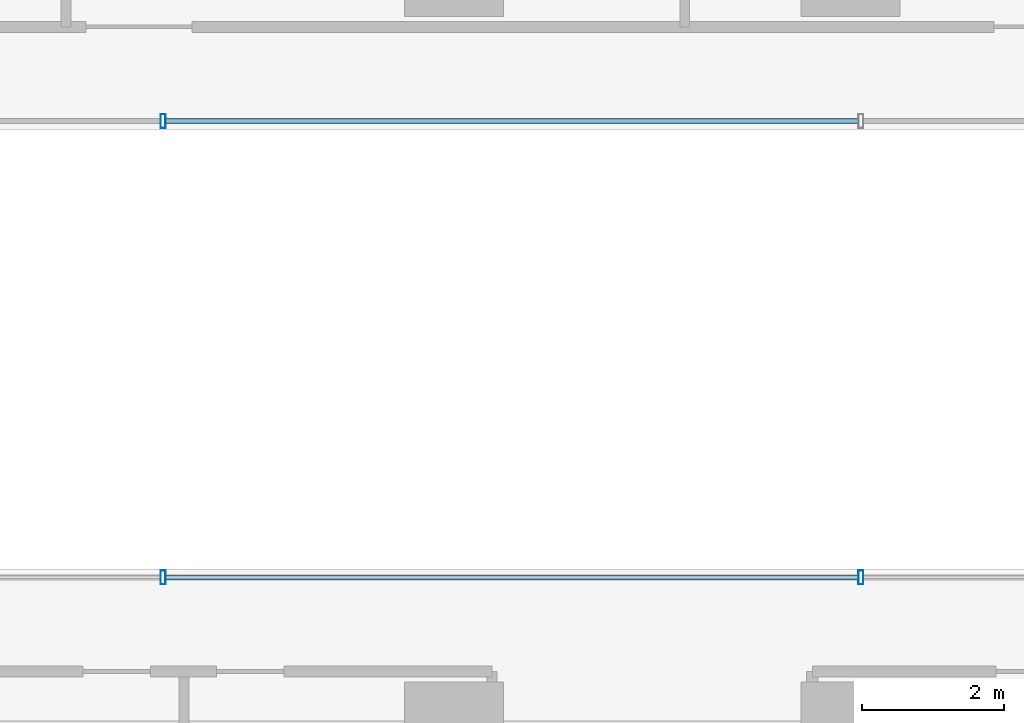
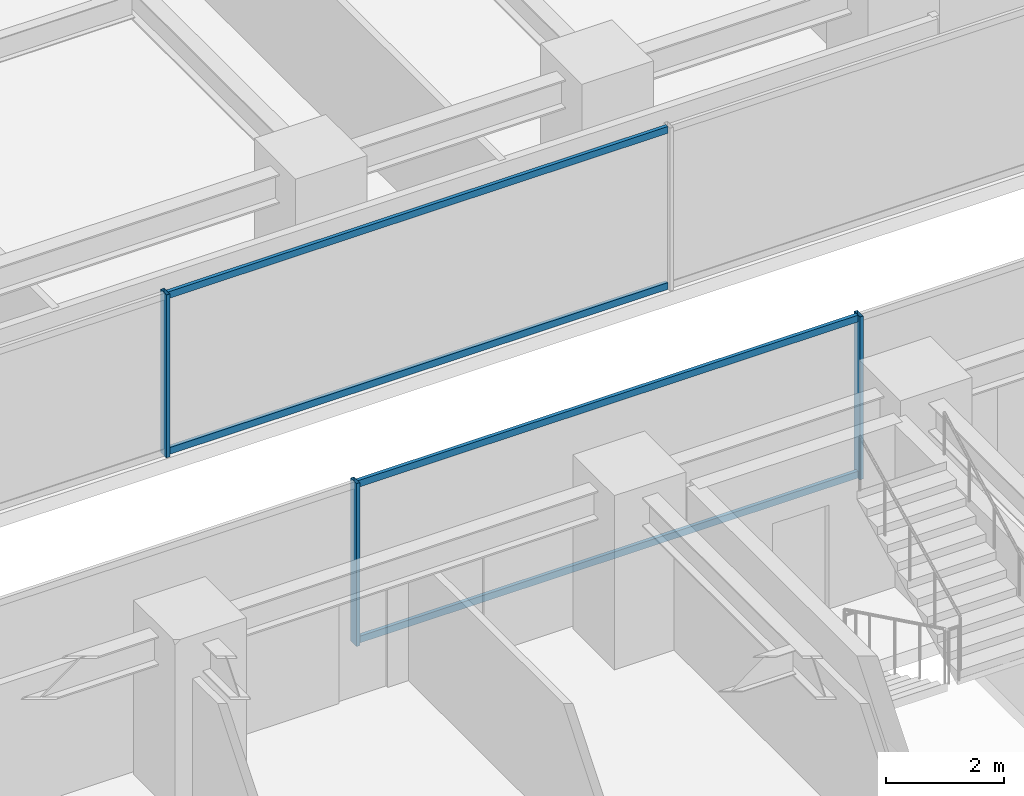
# One storey, part 11 of 38: 7 members, 2 elements without a shape of their own.
"""IFC4 building model written with IfcOpenShell, lengths in metres."""

from ifc_helpers import new_model, si_unit, direction, frame, origin, origin_2d, place, context, subcontext, project, spatial, hollow_rectangle, extrude, source, transform, mapped, material, material_profile, profile_set, type_object, element, aggregate, save


model = new_model("IFC4")

# Units and contexts
model_context = context("Model", 3, precision=1e-05, world=origin(), true_north=direction((0.0, 1.0)))
body_context = subcontext(model_context, "Body", "Model", "MODEL_VIEW")
ifc_project = project(units=[si_unit("LENGTHUNIT", "METRE"), si_unit("AREAUNIT", "SQUARE_METRE"), si_unit("VOLUMEUNIT", "CUBIC_METRE"), si_unit("PLANEANGLEUNIT", "RADIAN"), si_unit("MASSUNIT", "GRAM", prefix="KILO")], contexts=[model_context])

# Site, building, storey
site_placement = place(None, origin())
site = spatial("IfcSite", under=ifc_project, at=site_placement, CompositionType="ELEMENT")
building_placement = place(site_placement, origin())
building = spatial("IfcBuilding", under=site, at=building_placement, Name="Nahalor Promenade Grand Hotel", CompositionType="ELEMENT")
storey_placement = place(building_placement, frame((0.0, 0.0, 50.64990234375)))
storey = spatial("IfcBuildingStorey", under=building, at=storey_placement, Name="L11", CompositionType="ELEMENT", Elevation=50.64990234375)

# Curtain wall, members
ifc_material = material(Name="Anodised Bronze Aluminium EN AW-6063 T6", Category="aluminium")
curtain_wall_type = type_object("IfcCurtainWallType", Name="CW3 Elliptical-Void Collar Unitised Curtain Wall", PredefinedType="USERDEFINED", material=ifc_material)
curtain_wall_1_placement = place(storey_placement, origin())
curtain_wall_1 = element("IfcCurtainWall", 1, at=curtain_wall_1_placement, inside=storey, type_object=curtain_wall_type, Name="L11 Curtain Wall CW-L11-VOID-WS1", ObjectType="UNITISED_CURTAIN_WALL", PredefinedType="USERDEFINED")
ifc_material_profile_1 = material_profile(ifc_material, hollow_rectangle(XDim=0.07, YDim=0.14, WallThickness=0.004, at=origin_2d()), Name="CWT 70x140x4")
ifc_profile_set_1 = profile_set([ifc_material_profile_1], Name="Anodised Bronze Aluminium EN AW-6063 T6")
member_type_1 = type_object("IfcMemberType", Name="CWT3 Void Collar Transom 70x140", PredefinedType="USERDEFINED", material=ifc_profile_set_1)
shared_shape_1 = source(origin(), body_context, "Body", "SweptSolid", [
    extrude(hollow_rectangle(XDim=0.07, YDim=0.14, WallThickness=0.004, at=origin_2d()), origin(), (0.0, 0.0, 1.0), 9.783447265625),
])
member_1_placement = place(storey_placement, frame((-12.4716796875, -3.219970703125, 0.070068359375), z_axis=(1.0, 0.0, 0.0), x_axis=(0.0, 1.0, 0.0)))
member_1 = element("IfcMember", 2, at=member_1_placement, type_object=member_type_1, Name="CW-L11-VOID-WS1 Transom 1-0", ObjectType="TRANSOM", PredefinedType="USERDEFINED", context=body_context, shape_type="MappedRepresentation", body=[
    mapped(shared_shape_1, transform((0.0, 0.0, 0.0), scale=1.0)),
])
member_2_placement = place(storey_placement, frame((-12.4716796875, -3.219970703125, 3.300048828125), z_axis=(1.0, 0.0, 0.0), x_axis=(0.0, 1.0, 0.0)))
member_2 = element("IfcMember", 3, at=member_2_placement, type_object=member_type_1, Name="CW-L11-VOID-WS1 Transom 1-1", ObjectType="TRANSOM", PredefinedType="USERDEFINED", context=body_context, shape_type="MappedRepresentation", body=[
    mapped(shared_shape_1, transform((0.0, 0.0, 0.0), scale=1.0)),
])

curtain_wall_2_placement = place(storey_placement, origin())
curtain_wall_2 = element("IfcCurtainWall", 4, at=curtain_wall_2_placement, inside=storey, type_object=curtain_wall_type, Name="L11 Curtain Wall CW-L11-VOID-WN1", ObjectType="UNITISED_CURTAIN_WALL", PredefinedType="USERDEFINED")
member_3_placement = place(storey_placement, frame((-12.4716796875, 3.219970703125, 0.070068359375), z_axis=(1.0, 0.0, 0.0), x_axis=(0.0, 1.0, 0.0)))
member_3 = element("IfcMember", 5, at=member_3_placement, type_object=member_type_1, Name="CW-L11-VOID-WN1 Transom 1-0", ObjectType="TRANSOM", PredefinedType="USERDEFINED", context=body_context, shape_type="MappedRepresentation", body=[
    mapped(shared_shape_1, transform((0.0, 0.0, 0.0), scale=1.0)),
])
member_4_placement = place(storey_placement, frame((-12.4716796875, 3.219970703125, 3.300048828125), z_axis=(1.0, 0.0, 0.0), x_axis=(0.0, 1.0, 0.0)))
member_4 = element("IfcMember", 6, at=member_4_placement, type_object=member_type_1, Name="CW-L11-VOID-WN1 Transom 1-1", ObjectType="TRANSOM", PredefinedType="USERDEFINED", context=body_context, shape_type="MappedRepresentation", body=[
    mapped(shared_shape_1, transform((0.0, 0.0, 0.0), scale=1.0)),
])

# Member
ifc_material_profile_2 = material_profile(ifc_material, hollow_rectangle(XDim=0.07, YDim=0.2, WallThickness=0.005, at=origin_2d()), Name="CWM 70x200x5")
ifc_profile_set_2 = profile_set([ifc_material_profile_2], Name="Anodised Bronze Aluminium EN AW-6063 T6")
member_type_2 = type_object("IfcMemberType", Name="CWM3 Void Collar Mullion 70x200", PredefinedType="MULLION", material=ifc_profile_set_2)
shared_shape_2 = source(origin(), body_context, "Body", "SweptSolid", [
    extrude(hollow_rectangle(XDim=0.07, YDim=0.2, WallThickness=0.005, at=origin_2d()), origin(), (0.0, 0.0, 1.0), 3.3701171875),
])
member_5_placement = place(storey_placement, frame((-12.506591796875, -3.219970703125, 0.0), z_axis=(0.0, 0.0, 1.0), x_axis=(1.0, 0.0, 0.0)))
member_5 = element("IfcMember", 7, at=member_5_placement, type_object=member_type_2, Name="CW-L11-VOID-WS1 Mullion 1", PredefinedType="MULLION", context=body_context, shape_type="MappedRepresentation", body=[
    mapped(shared_shape_2, transform((0.0, 0.0, 0.0), scale=1.0)),
])

member_6_placement = place(storey_placement, frame((-2.6533203125, -3.219970703125, 0.0), z_axis=(0.0, 0.0, 1.0), x_axis=(1.0, 0.0, 0.0)))
member_6 = element("IfcMember", 8, at=member_6_placement, type_object=member_type_2, Name="CW-L11-VOID-WS1 Mullion 2", PredefinedType="MULLION", context=body_context, shape_type="MappedRepresentation", body=[
    mapped(shared_shape_2, transform((0.0, 0.0, 0.0), scale=1.0)),
])

aggregate(curtain_wall_1, [member_5, member_6, member_1, member_2])

member_7_placement = place(storey_placement, frame((-12.506591796875, 3.219970703125, 0.0), z_axis=(0.0, 0.0, 1.0), x_axis=(1.0, 0.0, 0.0)))
member_7 = element("IfcMember", 9, at=member_7_placement, type_object=member_type_2, Name="CW-L11-VOID-WN1 Mullion 1", PredefinedType="MULLION", context=body_context, shape_type="MappedRepresentation", body=[
    mapped(shared_shape_2, transform((0.0, 0.0, 0.0), scale=1.0)),
])

aggregate(curtain_wall_2, [member_7, member_3, member_4])

save(model, "model.ifc")
